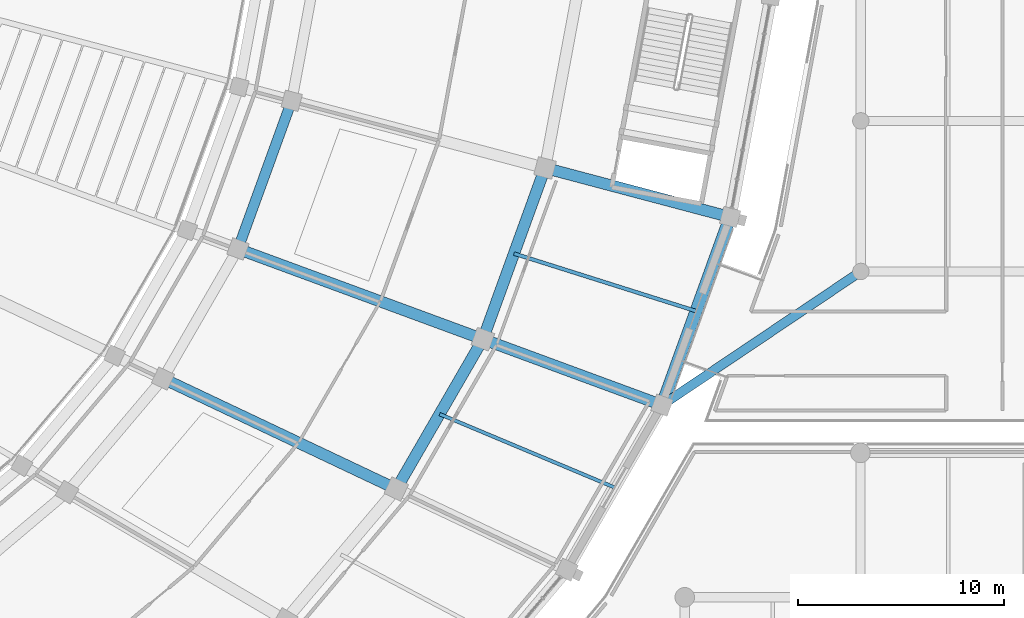
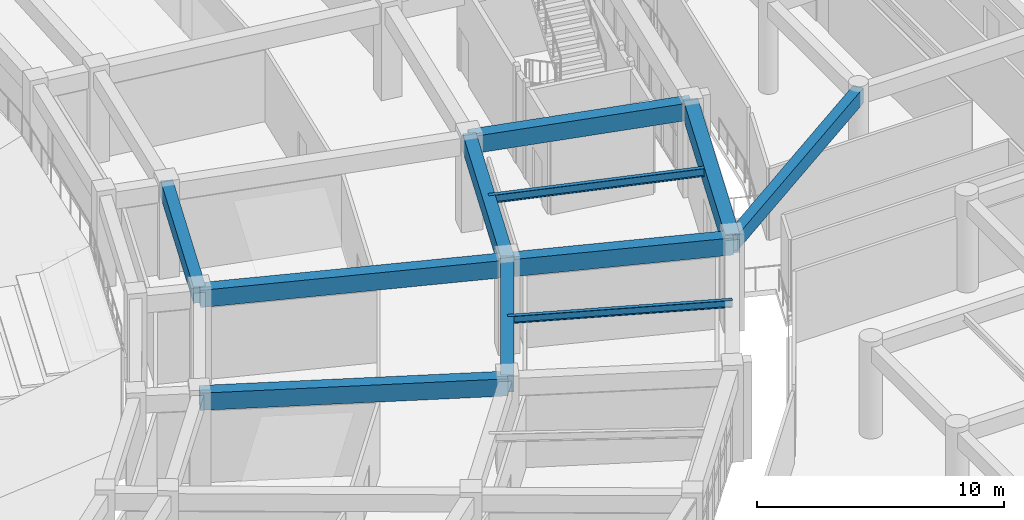
# One storey, part 45 of 152: 11 beams.
"""IFC4 building model written with IfcOpenShell, lengths in metres."""

from ifc_helpers import new_model, si_unit, direction, frame, origin, origin_2d, place, context, subcontext, project, spatial, rectangle, i_section, extrude, material, material_profile, profile_set, type_object, element, save


model = new_model("IFC4")

# Units and contexts
model_context = context("Model", 3, precision=1e-05, world=origin(), true_north=direction((0.0, 1.0)))
body_context = subcontext(model_context, "Body", "Model", "MODEL_VIEW")
ifc_project = project(units=[si_unit("LENGTHUNIT", "METRE"), si_unit("AREAUNIT", "SQUARE_METRE"), si_unit("VOLUMEUNIT", "CUBIC_METRE"), si_unit("PLANEANGLEUNIT", "RADIAN"), si_unit("MASSUNIT", "GRAM", prefix="KILO")], contexts=[model_context])

# Site, building, storey
site_placement = place(None, origin())
site = spatial("IfcSite", under=ifc_project, at=site_placement, CompositionType="ELEMENT")
building_placement = place(site_placement, origin())
building = spatial("IfcBuilding", under=site, at=building_placement, Name="Mphavela Belvedere Stadium", CompositionType="ELEMENT")
storey_placement = place(building_placement, frame((0.0, 0.0, 5.39990234375)))
storey = spatial("IfcBuildingStorey", under=building, at=storey_placement, Name="L01", CompositionType="ELEMENT", Elevation=5.39990234375)

# Beams
ifc_material_1 = material(Name="Concrete C40/50", Category="concrete")
ifc_material_profile_1 = material_profile(ifc_material_1, rectangle(XDim=0.60009765625, YDim=0.949951171875, at=origin_2d()), Name="RC 600x950")
ifc_profile_set_1 = profile_set([ifc_material_profile_1], Name="Concrete C40/50")
beam_type_1 = type_object("IfcBeamType", Name="BM-ENTABLATURE-950", PredefinedType="SPANDREL", material=ifc_profile_set_1)
beam_1_placement = place(storey_placement, frame((211.856201171875, 51.317626953125, 4.0751953125), z_axis=(0.341017570596, 0.94005692197, 0.0), x_axis=(-0.94005692197, 0.341017570596, 0.0)))
element("IfcBeam", 1, at=beam_1_placement, inside=storey, type_object=beam_type_1, Name="Circumferential girder L01 R4-46", PredefinedType="SPANDREL", context=body_context, shape_type="SweptSolid", body=[
    extrude(rectangle(XDim=0.60009765625, YDim=0.949951171875, at=origin_2d()), origin(), (0.0, 0.0, 1.0), 9.701416015625),
])
ifc_material_2 = material(Name="Steel S355", Category="steel")
ifc_material_profile_2 = material_profile(ifc_material_2, i_section(OverallWidth=0.169921875, OverallDepth=0.360107421875, WebThickness=0.008056640625, FlangeThickness=0.0126953125, at=origin_2d()), Name="IPE 360")
ifc_profile_set_2 = profile_set([ifc_material_profile_2], Name="Steel S355")
beam_type_2 = type_object("IfcBeamType", Name="BM-JOIST-IPE360", PredefinedType="JOIST", material=ifc_profile_set_2)
beam_2_placement = place(storey_placement, frame((201.07568359375, 50.8837890625, 4.3701171875), z_axis=(0.922108778612, -0.386930743682, 0.0), x_axis=(0.386930743682, 0.922108778612, 0.0)))
element("IfcBeam", 2, at=beam_2_placement, inside=storey, type_object=beam_type_2, Name="Concourse floor joist L01-45", PredefinedType="JOIST", context=body_context, shape_type="SweptSolid", body=[
    extrude(i_section(OverallWidth=0.169921875, OverallDepth=0.360107421875, WebThickness=0.008056640625, FlangeThickness=0.0126953125, at=origin_2d()), origin(), (0.0, 0.0, 1.0), 9.189453125),
])
ifc_material_3 = material(Name="Steel S355", Category="steel")
ifc_material_profile_3 = material_profile(ifc_material_3, i_section(OverallWidth=0.179931640625, OverallDepth=0.39990234375, WebThickness=0.008544921875, FlangeThickness=0.013427734375, at=origin_2d()), Name="IPE 400")
ifc_profile_set_3 = profile_set([ifc_material_profile_3], Name="Steel S355")
beam_type_3 = type_object("IfcBeamType", Name="BM-JOIST-IPE400", PredefinedType="JOIST", material=ifc_profile_set_3)
beam_3_placement = place(storey_placement, frame((204.681640625, 58.6669921875, 4.35009765625), z_axis=(0.953544002003, -0.301253773826, 0.0), x_axis=(0.301253773826, 0.953544002003, 0.0)))
element("IfcBeam", 3, at=beam_3_placement, inside=storey, type_object=beam_type_3, Name="Concourse floor joist L01-46", PredefinedType="JOIST", context=body_context, shape_type="SweptSolid", body=[
    extrude(i_section(OverallWidth=0.179931640625, OverallDepth=0.39990234375, WebThickness=0.008544921875, FlangeThickness=0.013427734375, at=origin_2d()), origin(), (0.0, 0.0, 1.0), 9.259033203125),
])
ifc_material_4 = material(Name="Concrete C40/50", Category="concrete")
ifc_material_profile_4 = material_profile(ifc_material_4, rectangle(XDim=0.449951171875, YDim=0.75, at=origin_2d()), Name="RC 450x750")
ifc_profile_set_4 = profile_set([ifc_material_profile_4], Name="Concrete C40/50")
beam_type_4 = type_object("IfcBeamType", Name="BM-RC450x750", PredefinedType="BEAM", material=ifc_profile_set_4)
beam_4_placement = place(storey_placement, frame((221.5, 57.800048828125, 4.1650390625), z_axis=(-0.82993028647, -0.557867116436, 0.0), x_axis=(0.557867116436, -0.82993028647, 0.0)))
element("IfcBeam", 4, at=beam_4_placement, inside=storey, type_object=beam_type_4, Name="East Planted Eaves Peristyle Colonnade bowl link girder L01-5", PredefinedType="BEAM", context=body_context, shape_type="SweptSolid", body=[
    extrude(rectangle(XDim=0.449951171875, YDim=0.75, at=origin_2d()), origin(), (0.0, 0.0, 1.0), 11.6201171875),
])
ifc_material_5 = material(Name="Concrete C40/50", Category="concrete")
ifc_material_profile_5 = material_profile(ifc_material_5, rectangle(XDim=0.5, YDim=0.800048828125, at=origin_2d()), Name="RC 500x800")
ifc_profile_set_5 = profile_set([ifc_material_profile_5], Name="Concrete C40/50")
beam_type_5 = type_object("IfcBeamType", Name="BM-RC500x800", PredefinedType="BEAM", material=ifc_profile_set_5)
beam_5_placement = place(storey_placement, frame((191.297119140625, 58.891845703125, 4.150146484375), z_axis=(0.341037560831, 0.940049670019, 0.0), x_axis=(-0.940049670019, 0.341037560831, 0.0)))
element("IfcBeam", 5, at=beam_5_placement, inside=storey, type_object=beam_type_5, Name="Circumferential girder L01 R2-46", PredefinedType="BEAM", context=body_context, shape_type="SweptSolid", body=[
    extrude(rectangle(XDim=0.5, YDim=0.800048828125, at=origin_2d()), origin(), (0.0, 0.0, 1.0), 7.64208984375),
])
ifc_material_6 = material(Name="Concrete C40/50", Category="concrete")
ifc_material_profile_6 = material_profile(ifc_material_6, rectangle(XDim=0.550048828125, YDim=0.85009765625, at=origin_2d()), Name="RC 550x850")
ifc_profile_set_6 = profile_set([ifc_material_profile_6], Name="Concrete C40/50")
beam_type_6 = type_object("IfcBeamType", Name="BM-RC550x850", PredefinedType="BEAM", material=ifc_profile_set_6)
beam_6_placement = place(storey_placement, frame((198.9755859375, 47.251708984375, 4.125), z_axis=(0.500547586322, 0.865709023765, 0.0), x_axis=(-0.865709023765, 0.500547586322, 0.0)))
element("IfcBeam", 6, at=beam_6_placement, inside=storey, type_object=beam_type_6, Name="Circumferential girder L01 R3-45", PredefinedType="BEAM", context=body_context, shape_type="SweptSolid", body=[
    extrude(rectangle(XDim=0.550048828125, YDim=0.85009765625, at=origin_2d()), origin(), (0.0, 0.0, 1.0), 8.390625),
])
beam_7_placement = place(storey_placement, frame((187.66259765625, 52.606201171875, 4.125), z_axis=(0.903870454162, -0.427806267009, 0.0), x_axis=(0.427806267009, 0.903870454162, 0.0)))
element("IfcBeam", 7, at=beam_7_placement, inside=storey, type_object=beam_type_6, Name="Radial concourse girder L01 R2R3-45", PredefinedType="BEAM", context=body_context, shape_type="SweptSolid", body=[
    extrude(rectangle(XDim=0.550048828125, YDim=0.85009765625, at=origin_2d()), origin(), (0.0, 0.0, 1.0), 12.51611328125),
])
beam_8_placement = place(storey_placement, frame((203.175537109375, 54.515625, 4.125), z_axis=(0.341030504348, 0.940052229987, 0.0), x_axis=(-0.940052229987, 0.341030504348, 0.0)))
element("IfcBeam", 8, at=beam_8_placement, inside=storey, type_object=beam_type_6, Name="Circumferential girder L01 R3-46", PredefinedType="BEAM", context=body_context, shape_type="SweptSolid", body=[
    extrude(rectangle(XDim=0.550048828125, YDim=0.85009765625, at=origin_2d()), origin(), (0.0, 0.0, 1.0), 8.83203125),
])
beam_9_placement = place(storey_placement, frame((191.297119140625, 58.891845703125, 4.125), z_axis=(0.938344104636, -0.345702677593, 0.0), x_axis=(0.345702677593, 0.938344104636, 0.0)))
element("IfcBeam", 9, at=beam_9_placement, inside=storey, type_object=beam_type_6, Name="Radial concourse girder L01 R2R3-46", PredefinedType="BEAM", context=body_context, shape_type="SweptSolid", body=[
    extrude(rectangle(XDim=0.550048828125, YDim=0.85009765625, at=origin_2d()), origin(), (0.0, 0.0, 1.0), 12.658935546875),
])
beam_10_placement = place(storey_placement, frame((203.175537109375, 54.515625, 4.125), z_axis=(0.938348073025, -0.345691905967, 0.0), x_axis=(0.345691905967, 0.938348073025, 0.0)))
element("IfcBeam", 10, at=beam_10_placement, inside=storey, type_object=beam_type_6, Name="Radial concourse girder L01 R3R4-46", PredefinedType="BEAM", context=body_context, shape_type="SweptSolid", body=[
    extrude(rectangle(XDim=0.550048828125, YDim=0.85009765625, at=origin_2d()), origin(), (0.0, 0.0, 1.0), 9.2509765625),
])
beam_11_placement = place(storey_placement, frame((206.1875, 62.818115234375, 4.125), z_axis=(0.966589609073, -0.256328944196, 0.0), x_axis=(0.256328944196, 0.966589609073, 0.0)))
element("IfcBeam", 11, at=beam_11_placement, inside=storey, type_object=beam_type_6, Name="Radial concourse girder L01 R3R4-47", PredefinedType="BEAM", context=body_context, shape_type="SweptSolid", body=[
    extrude(rectangle(XDim=0.550048828125, YDim=0.85009765625, at=origin_2d()), origin(), (0.0, 0.0, 1.0), 9.287353515625),
])

save(model, "model.ifc")
